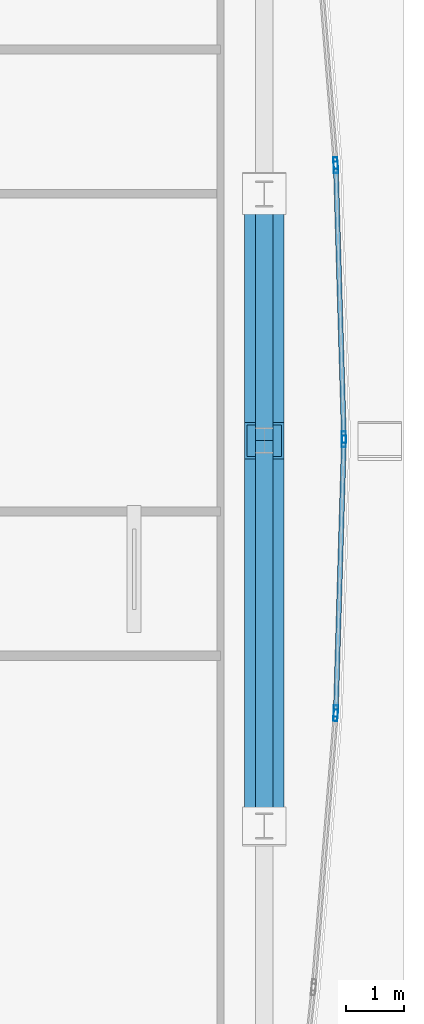
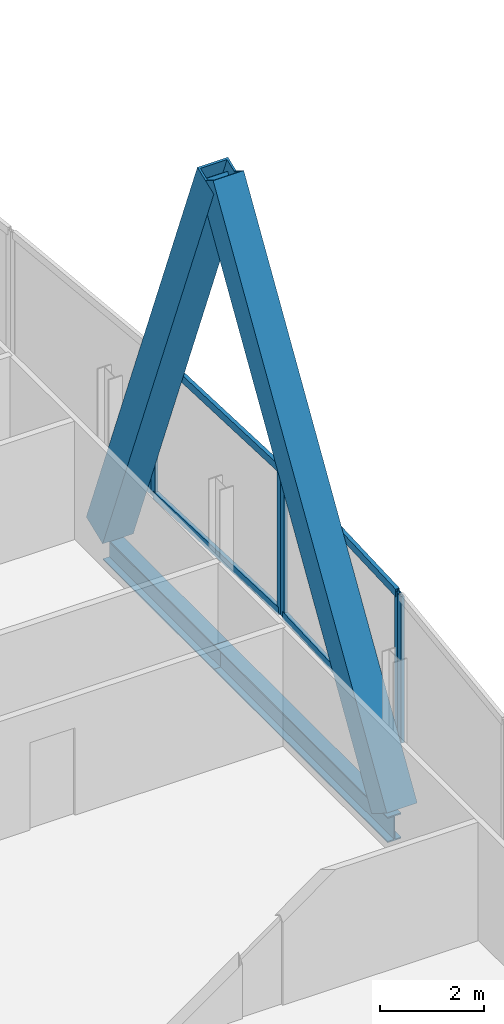
# One storey, part 18 of 30: 12 members, 2 beams, 4 elements without a shape of their own.
"""IFC4 building model written with IfcOpenShell, lengths in metres."""

import ifcopenshell
import ifcopenshell.guid

model = None  # the IFC model being written
_history = None  # IfcOwnerHistory: only IFC2X3 demands one
_inside = {}  # id of a spatial element -> (the spatial element, [elements in it])
_under = {}  # id of a project, library or spatial element -> (it, [spatial elements below it])
_declared = {}  # id of a project -> (the project, [libraries it declares])
_typed = {}  # id of a type object -> (the type object, [elements of that type])
_made_of = {}  # id of a material, layer set ... -> (it, [elements and type objects made of it])


def new_model(schema):
    """Start an empty IFC model of exactly this schema.

    Asked for "IFC4X3", IfcOpenShell would pick the latest addendum, in which some entities
    have other attributes; the version numbers below select the first issue.
    IFC2X3 requires an IfcOwnerHistory on every rooted entity: one is made here for all.
    """
    global model, _history
    if schema == "IFC4X3":
        model = ifcopenshell.file(schema_version=(4, 3, 0, 0))
    else:
        model = ifcopenshell.file(schema=schema)
    _inside.clear()
    _under.clear()
    _declared.clear()
    _typed.clear()
    _made_of.clear()
    _history = None
    if model.schema == "IFC2X3":
        org = make("IfcOrganization", Name="unknown")
        user = make(
            "IfcPersonAndOrganization",
            ThePerson=make("IfcPerson", FamilyName="unknown"),
            TheOrganization=org,
        )
        app = make(
            "IfcApplication",
            ApplicationDeveloper=org,
            Version="unknown",
            ApplicationFullName="unknown",
            ApplicationIdentifier="unknown",
        )
        _history = make(
            "IfcOwnerHistory",
            OwningUser=user,
            OwningApplication=app,
            ChangeAction="ADDED",
            CreationDate=0,
        )
    return model


def make(cls, **values):
    """One entity of the class cls with the attributes given. An attribute that is None is left unset."""
    return model.create_entity(
        cls, **{name: value for name, value in values.items() if value is not None}
    )


def rooted(cls, **values):
    """An entity with a GlobalId (a new one), such as an element, a storey or a relation."""
    return make(cls, GlobalId=ifcopenshell.guid.new(), OwnerHistory=_history, **values)


def si_unit(unit_type, name, prefix=None):
    """IfcSIUnit, for example si_unit("LENGTHUNIT", "METRE", prefix="MILLI")."""
    return make("IfcSIUnit", UnitType=unit_type, Prefix=prefix, Name=name)


def assignment(units):
    """IfcUnitAssignment: the units of a project."""
    return None if units is None else make("IfcUnitAssignment", Units=units)


def point(xyz):
    """IfcCartesianPoint."""
    return None if xyz is None else make("IfcCartesianPoint", Coordinates=xyz)


def direction(xyz):
    """IfcDirection."""
    return None if xyz is None else make("IfcDirection", DirectionRatios=xyz)


def frame(location, z_axis=None, x_axis=None):
    """IfcAxis2Placement3D, a coordinate frame: its origin and axes. An axis left out is left unset."""
    return make(
        "IfcAxis2Placement3D",
        Location=point(location),
        Axis=direction(z_axis),
        RefDirection=direction(x_axis),
    )


def frame_2d(location, x_axis=None):
    """IfcAxis2Placement2D, a coordinate frame in the plane: its origin and x axis."""
    return make(
        "IfcAxis2Placement2D", Location=point(location), RefDirection=direction(x_axis)
    )


def origin():
    """The frame at (0, 0, 0) with its axes left unset."""
    return frame((0.0, 0.0, 0.0))


def origin_2d():
    """The frame at (0, 0) in the plane with its x axis left unset."""
    return frame_2d((0.0, 0.0))


def place(relative_to, where):
    """IfcLocalPlacement: puts the frame where relative to a parent placement (None: the world)."""
    return make(
        "IfcLocalPlacement", PlacementRelTo=relative_to, RelativePlacement=where
    )


def context(
    kind, dimensions, precision=None, world=None, true_north=None, identifier=None
):
    """IfcGeometricRepresentationContext, for example the 3D "Model" context."""
    return make(
        "IfcGeometricRepresentationContext",
        ContextIdentifier=identifier,
        ContextType=kind,
        CoordinateSpaceDimension=dimensions,
        Precision=precision,
        WorldCoordinateSystem=world,
        TrueNorth=true_north,
    )


def subcontext(parent, identifier, kind, view, scale=None):
    """IfcGeometricRepresentationSubContext, for example "Body" below "Model"."""
    return make(
        "IfcGeometricRepresentationSubContext",
        ContextIdentifier=identifier,
        ContextType=kind,
        ParentContext=parent,
        TargetScale=scale,
        TargetView=view,
    )


def project(units=None, contexts=None):
    """IfcProject with its units and contexts."""
    return rooted(
        "IfcProject",
        Name="project",
        RepresentationContexts=contexts,
        UnitsInContext=assignment(units),
    )


def spatial(cls, under=None, at=None, **own):
    """A site, building, storey or space (cls), placed at a placement, below another one or the project."""
    s = rooted(cls, ObjectPlacement=at, **own)
    if under is not None:
        _under.setdefault(under.id(), (under, []))[1].append(s)
    return s


def profile(cls, at=None, kind="AREA", **sizes):
    """A parametric profile (cls). Its sizes go by their IFC names, for example OverallWidth=200.0."""
    return make(cls, ProfileType=kind, Position=at, **sizes)


def hollow_rectangle(**sizes):
    """IfcRectangleHollowProfileDef."""
    return profile("IfcRectangleHollowProfileDef", **sizes)


def i_section(**sizes):
    """IfcIShapeProfileDef."""
    return profile("IfcIShapeProfileDef", **sizes)


def extrude(swept, where, along, depth):
    """IfcExtrudedAreaSolid: the profile swept, set in the frame where, extruded along a direction by depth."""
    return make(
        "IfcExtrudedAreaSolid",
        SweptArea=swept,
        Position=where,
        ExtrudedDirection=direction(along),
        Depth=depth,
    )


def shape(context_of_items, identifier, shape_type, items):
    """IfcShapeRepresentation: the items that make up one representation, for example the "Body"."""
    return make(
        "IfcShapeRepresentation",
        ContextOfItems=context_of_items,
        RepresentationIdentifier=identifier,
        RepresentationType=shape_type,
        Items=items,
    )


def material(Name=None, Category=None):
    """IfcMaterial."""
    return make("IfcMaterial", Name=Name, Category=Category)


def material_profile(
    of_material, cross_section, Name=None, Category=None, Priority=None
):
    """IfcMaterialProfile: a cross section and its material."""
    return make(
        "IfcMaterialProfile",
        Name=Name,
        Material=of_material,
        Profile=cross_section,
        Priority=Priority,
        Category=Category,
    )


def profile_set(profiles, Name=None, composite=None):
    """IfcMaterialProfileSet."""
    return make(
        "IfcMaterialProfileSet",
        Name=Name,
        MaterialProfiles=profiles,
        CompositeProfile=composite,
    )


def made_of(thing, what):
    """Note that an element or type object is made of a material, layer set ...; save() writes the relation."""
    if what is not None:
        _made_of.setdefault(what.id(), (what, []))[1].append(thing)
    return thing


def type_object(cls, material=None, **own):
    """A type object (cls), such as IfcWallType, which elements share."""
    return made_of(rooted(cls, **own), material)


def element(
    cls,
    number,
    at=None,
    inside=None,
    cuts=None,
    type_object=None,
    material=None,
    context=None,
    identifier="Body",
    shape_type=None,
    held_by="IfcProductDefinitionShape",
    body=None,
    shapes=None,
    **own,
):
    """One element of the class cls, such as IfcWall. Its Tag is "e" and its number.

    at: its placement. inside: the storey or other place that contains it. cuts: it is an
    opening in that element (IfcRelVoidsElement). A single representation is given by context,
    identifier, shape_type and body (its items); several are given by shapes. held_by: the class
    of the entity that holds the representations. save() writes the other relations.
    """
    e = rooted(cls, Tag="e%d" % number, ObjectPlacement=at, **own)
    if body is not None:
        shapes = [shape(context, identifier, shape_type, body)]
    if shapes is not None:
        e.Representation = make(held_by, Representations=shapes)
    if inside is not None:
        _inside.setdefault(inside.id(), (inside, []))[1].append(e)
    if cuts is not None:
        rooted(
            "IfcRelVoidsElement", RelatingBuildingElement=cuts, RelatedOpeningElement=e
        )
    if type_object is not None:
        _typed.setdefault(type_object.id(), (type_object, []))[1].append(e)
    return made_of(e, material)


def aggregate(whole, parts):
    """IfcRelAggregates: a whole, such as a stair, and the parts it consists of."""
    return rooted("IfcRelAggregates", RelatingObject=whole, RelatedObjects=parts)


def save(model, path):
    """Write the relations noted so far, then the file.

    IfcRelAggregates (storeys below a building ...), IfcRelContainedInSpatialStructure (elements
    in a storey), IfcRelDefinesByType, IfcRelAssociatesMaterial and IfcRelDeclares: one each for
    every whole, place, type object, material and project.
    """
    for whole, parts in _under.values():
        aggregate(whole, parts)
    for where, things in _inside.values():
        rooted(
            "IfcRelContainedInSpatialStructure",
            RelatedElements=things,
            RelatingStructure=where,
        )
    for kind, things in _typed.values():
        rooted("IfcRelDefinesByType", RelatedObjects=things, RelatingType=kind)
    for what, things in _made_of.values():
        rooted("IfcRelAssociatesMaterial", RelatedObjects=things, RelatingMaterial=what)
    for by, libraries in _declared.values():
        rooted("IfcRelDeclares", RelatingContext=by, RelatedDefinitions=libraries)
    model.write(path)


model = new_model("IFC4")

# Units and contexts
model_context = context("Model", 3, precision=1e-05, world=origin(), true_north=direction((0.0, 1.0)))
body_context = subcontext(model_context, "Body", "Model", "MODEL_VIEW")
ifc_project = project(units=[si_unit("LENGTHUNIT", "METRE"), si_unit("AREAUNIT", "SQUARE_METRE"), si_unit("VOLUMEUNIT", "CUBIC_METRE"), si_unit("PLANEANGLEUNIT", "RADIAN"), si_unit("MASSUNIT", "GRAM", prefix="KILO")], contexts=[model_context])

# Site, building, storey
site_placement = place(None, origin())
site = spatial("IfcSite", under=ifc_project, at=site_placement, CompositionType="ELEMENT")
building_placement = place(site_placement, origin())
building = spatial("IfcBuilding", under=site, at=building_placement, Name="Khoronbel Lancet Exchange", CompositionType="ELEMENT")
storey_placement = place(building_placement, frame((0.0, 0.0, 239.0)))
storey = spatial("IfcBuildingStorey", under=building, at=storey_placement, Name="L61", CompositionType="ELEMENT", Elevation=239.0)

# Beams
ifc_material_1 = material(Name="Steel S355", Category="steel")
ifc_material_profile_1 = material_profile(ifc_material_1, i_section(OverallWidth=0.300048828125, OverallDepth=0.60009765625, WebThickness=0.015380859375, FlangeThickness=0.030029296875, at=origin_2d()), Name="HEB 600")
ifc_profile_set_1 = profile_set([ifc_material_profile_1], Name="Steel S355")
beam_type = type_object("IfcBeamType", Name="BM-BSP2", PredefinedType="SPANDREL", material=ifc_profile_set_1)
beam_1_placement = place(storey_placement, frame((63.6298828125, 24.75, -0.4599609375), z_axis=(0.0, 1.0, 0.0), x_axis=(-1.0, 0.0, 0.0)))
element("IfcBeam", 1, at=beam_1_placement, inside=storey, type_object=beam_type, Name="Level L61 perimeter spandrel beam SP10", PredefinedType="SPANDREL", context=body_context, shape_type="SweptSolid", body=[
    extrude(i_section(OverallWidth=0.300048828125, OverallDepth=0.60009765625, WebThickness=0.015380859375, FlangeThickness=0.030029296875, at=origin_2d()), origin(), (0.0, 0.0, 1.0), 6.675048828125),
])
beam_2_placement = place(storey_placement, frame((63.6298828125, 31.425048828125, -0.4599609375), z_axis=(0.0, 1.0, 0.0), x_axis=(-1.0, 0.0, 0.0)))
element("IfcBeam", 2, at=beam_2_placement, inside=storey, type_object=beam_type, Name="Level L61 perimeter spandrel beam SP11", PredefinedType="SPANDREL", context=body_context, shape_type="SweptSolid", body=[
    extrude(i_section(OverallWidth=0.300048828125, OverallDepth=0.60009765625, WebThickness=0.015380859375, FlangeThickness=0.030029296875, at=origin_2d()), origin(), (0.0, 0.0, 1.0), 4.27490234375),
])

# Curtain wall, member
ifc_material_2 = material(Name="Low-E Solar Control Insulating Glass", Category="glass")
curtain_wall_type = type_object("IfcCurtainWallType", Name="CW-4", PredefinedType="NOTDEFINED", material=ifc_material_2)
curtain_wall_1_placement = place(storey_placement, origin())
curtain_wall_1 = element("IfcCurtainWall", 3, at=curtain_wall_1_placement, inside=storey, type_object=curtain_wall_type, Name="Unitised curtain wall CW-L61-E18", PredefinedType="NOTDEFINED")
ifc_material_3 = material(Name="Bronze-Anodised Aluminium 6063-T6", Category="aluminium")
ifc_material_profile_2 = material_profile(ifc_material_3, hollow_rectangle(XDim=0.074951171875, YDim=0.199951171875, WallThickness=0.0048828125, at=origin_2d()), Name="ALU MULLION 75x200")
ifc_profile_set_2 = profile_set([ifc_material_profile_2], Name="Bronze-Anodised Aluminium 6063-T6")
member_type_1 = type_object("IfcMemberType", Name="MEM-CWM2", PredefinedType="MULLION", material=ifc_profile_set_2)
member_1_placement = place(storey_placement, frame((64.866455078125, 36.232421875, 0.0), z_axis=(0.0, 0.0, 1.0), x_axis=(0.996743296731, 0.080639943095, 0.0)))
member_1 = element("IfcMember", 4, at=member_1_placement, type_object=member_type_1, Name="CW4 mullion 2", PredefinedType="MULLION", context=body_context, shape_type="SweptSolid", body=[
    extrude(hollow_rectangle(XDim=0.074951171875, YDim=0.199951171875, WallThickness=0.0048828125, at=origin_2d()), origin(), (0.0, 0.0, 1.0), 3.43994140625),
])
aggregate(curtain_wall_1, [member_1])

# Curtain wall, members
curtain_wall_2_placement = place(storey_placement, origin())
curtain_wall_2 = element("IfcCurtainWall", 5, at=curtain_wall_2_placement, inside=storey, type_object=curtain_wall_type, Name="Unitised curtain wall CW-L61-E19", PredefinedType="NOTDEFINED")
member_2_placement = place(storey_placement, frame((64.87060546875, 36.157470703125, 0.0), z_axis=(0.0, 0.0, 1.0), x_axis=(0.999561285143, 0.029618191076, 0.0)))
member_2 = element("IfcMember", 6, at=member_2_placement, type_object=member_type_1, Name="CW4 mullion 1", PredefinedType="MULLION", context=body_context, shape_type="SweptSolid", body=[
    extrude(hollow_rectangle(XDim=0.074951171875, YDim=0.199951171875, WallThickness=0.0048828125, at=origin_2d()), origin(), (0.0, 0.0, 1.0), 3.43994140625),
])
member_3_placement = place(storey_placement, frame((65.0087890625, 31.487548828125, 0.0), z_axis=(0.0, 0.0, 1.0), x_axis=(0.999561285143, 0.029618191076, 0.0)))
member_3 = element("IfcMember", 7, at=member_3_placement, type_object=member_type_1, Name="CW4 mullion 2", PredefinedType="MULLION", context=body_context, shape_type="SweptSolid", body=[
    extrude(hollow_rectangle(XDim=0.074951171875, YDim=0.199951171875, WallThickness=0.0048828125, at=origin_2d()), origin(), (0.0, 0.0, 1.0), 3.43994140625),
])

curtain_wall_3_placement = place(storey_placement, origin())
curtain_wall_3 = element("IfcCurtainWall", 8, at=curtain_wall_3_placement, inside=storey, type_object=curtain_wall_type, Name="Unitised curtain wall CW-L61-E20", PredefinedType="NOTDEFINED")
member_4_placement = place(storey_placement, frame((65.0087890625, 31.41259765625, 0.0), z_axis=(0.0, 0.0, 1.0), x_axis=(0.999561285143, -0.029618191076, 0.0)))
member_4 = element("IfcMember", 9, at=member_4_placement, type_object=member_type_1, Name="CW4 mullion 1", PredefinedType="MULLION", context=body_context, shape_type="SweptSolid", body=[
    extrude(hollow_rectangle(XDim=0.074951171875, YDim=0.199951171875, WallThickness=0.0048828125, at=origin_2d()), origin(), (0.0, 0.0, 1.0), 3.43994140625),
])
member_5_placement = place(storey_placement, frame((64.87060546875, 26.742431640625, 0.0), z_axis=(0.0, 0.0, 1.0), x_axis=(0.999561285143, -0.029618191076, 0.0)))
member_5 = element("IfcMember", 10, at=member_5_placement, type_object=member_type_1, Name="CW4 mullion 2", PredefinedType="MULLION", context=body_context, shape_type="SweptSolid", body=[
    extrude(hollow_rectangle(XDim=0.074951171875, YDim=0.199951171875, WallThickness=0.0048828125, at=origin_2d()), origin(), (0.0, 0.0, 1.0), 3.43994140625),
])

# Curtain wall, member
curtain_wall_4_placement = place(storey_placement, origin())
curtain_wall_4 = element("IfcCurtainWall", 11, at=curtain_wall_4_placement, inside=storey, type_object=curtain_wall_type, Name="Unitised curtain wall CW-L61-E21", PredefinedType="NOTDEFINED")
member_6_placement = place(storey_placement, frame((64.866455078125, 26.667724609375, 0.0), z_axis=(0.0, 0.0, 1.0), x_axis=(0.996743296731, -0.080639943095, 0.0)))
member_6 = element("IfcMember", 12, at=member_6_placement, type_object=member_type_1, Name="CW4 mullion 1", PredefinedType="MULLION", context=body_context, shape_type="SweptSolid", body=[
    extrude(hollow_rectangle(XDim=0.074951171875, YDim=0.199951171875, WallThickness=0.0048828125, at=origin_2d()), origin(), (0.0, 0.0, 1.0), 3.43994140625),
])
aggregate(curtain_wall_4, [member_6])

# Member
ifc_material_profile_3 = material_profile(ifc_material_3, hollow_rectangle(XDim=0.0849609375, YDim=0.179931640625, WallThickness=0.0048828125, at=origin_2d()), Name="ALU TRANSOM 85x180")
ifc_profile_set_3 = profile_set([ifc_material_profile_3], Name="Bronze-Anodised Aluminium 6063-T6")
member_type_2 = type_object("IfcMemberType", Name="MEM-CWT1", PredefinedType="USERDEFINED", material=ifc_profile_set_3)
member_7_placement = place(storey_placement, frame((64.87158203125, 36.1201171875, 0.04248046875), z_axis=(0.029633139405, -0.999560842095, 0.0), x_axis=(0.999560842095, 0.029633139405, 0.0)))
member_7 = element("IfcMember", 13, at=member_7_placement, type_object=member_type_2, Name="CW4 transom 1.1", ObjectType="TRANSOM", PredefinedType="USERDEFINED", context=body_context, shape_type="SweptSolid", body=[
    extrude(hollow_rectangle(XDim=0.0849609375, YDim=0.179931640625, WallThickness=0.0048828125, at=origin_2d()), origin(), (0.0, 0.0, 1.0), 4.59716796875),
])

member_8_placement = place(storey_placement, frame((64.87158203125, 36.1201171875, 3.3974609375), z_axis=(0.029633139405, -0.999560842095, 0.0), x_axis=(0.999560842095, 0.029633139405, 0.0)))
member_8 = element("IfcMember", 14, at=member_8_placement, type_object=member_type_2, Name="CW4 transom 1.2", ObjectType="TRANSOM", PredefinedType="USERDEFINED", context=body_context, shape_type="SweptSolid", body=[
    extrude(hollow_rectangle(XDim=0.0849609375, YDim=0.179931640625, WallThickness=0.0048828125, at=origin_2d()), origin(), (0.0, 0.0, 1.0), 4.59716796875),
])

aggregate(curtain_wall_2, [member_2, member_3, member_7, member_8])

member_9_placement = place(storey_placement, frame((65.0078125, 31.375, 0.04248046875), z_axis=(-0.029634712495, -0.999560795457, 0.0), x_axis=(0.999560795457, -0.029634712495, 0.0)))
member_9 = element("IfcMember", 15, at=member_9_placement, type_object=member_type_2, Name="CW4 transom 1.1", ObjectType="TRANSOM", PredefinedType="USERDEFINED", context=body_context, shape_type="SweptSolid", body=[
    extrude(hollow_rectangle(XDim=0.0849609375, YDim=0.179931640625, WallThickness=0.0048828125, at=origin_2d()), origin(), (0.0, 0.0, 1.0), 4.596923828125),
])

member_10_placement = place(storey_placement, frame((65.0078125, 31.375, 3.3974609375), z_axis=(-0.029634712495, -0.999560795457, 0.0), x_axis=(0.999560795457, -0.029634712495, 0.0)))
member_10 = element("IfcMember", 16, at=member_10_placement, type_object=member_type_2, Name="CW4 transom 1.2", ObjectType="TRANSOM", PredefinedType="USERDEFINED", context=body_context, shape_type="SweptSolid", body=[
    extrude(hollow_rectangle(XDim=0.0849609375, YDim=0.179931640625, WallThickness=0.0048828125, at=origin_2d()), origin(), (0.0, 0.0, 1.0), 4.596923828125),
])

aggregate(curtain_wall_3, [member_4, member_5, member_9, member_10])

# Members
ifc_material_4 = material(Name="Steel S460", Category="steel")
ifc_material_profile_4 = material_profile(ifc_material_4, hollow_rectangle(XDim=0.679931640625, YDim=0.679931640625, WallThickness=0.044921875, at=origin_2d()), Name="BOX 680x680x45")
ifc_profile_set_4 = profile_set([ifc_material_profile_4], Name="Steel S460")
member_type_3 = type_object("IfcMemberType", Name="MEM-MB3", PredefinedType="BRACE", material=ifc_profile_set_4)
member_11_placement = place(storey_placement, frame((63.6298828125, 24.75, 0.0), z_axis=(0.0, 0.525745449971, 0.850641946906), x_axis=(-1.0, 0.0, 0.0)))
element("IfcMember", 17, at=member_11_placement, inside=storey, type_object=member_type_3, Name="Perimeter lancet brace tier 21 E-P-L", PredefinedType="BRACE", context=body_context, shape_type="SweptSolid", body=[
    extrude(hollow_rectangle(XDim=0.679931640625, YDim=0.679931640625, WallThickness=0.044921875, at=origin_2d()), origin(), (0.0, 0.0, 1.0), 12.6962890625),
])
member_12_placement = place(storey_placement, frame((63.6298828125, 35.699951171875, 0.0), z_axis=(0.0, -0.368039743753, 0.929810059646), x_axis=(1.0, 0.0, 0.0)))
element("IfcMember", 18, at=member_12_placement, inside=storey, type_object=member_type_3, Name="Perimeter lancet brace tier 21 E-P-R", PredefinedType="BRACE", context=body_context, shape_type="SweptSolid", body=[
    extrude(hollow_rectangle(XDim=0.679931640625, YDim=0.679931640625, WallThickness=0.044921875, at=origin_2d()), origin(), (0.0, 0.0, 1.0), 11.615234375),
])

save(model, "model.ifc")
